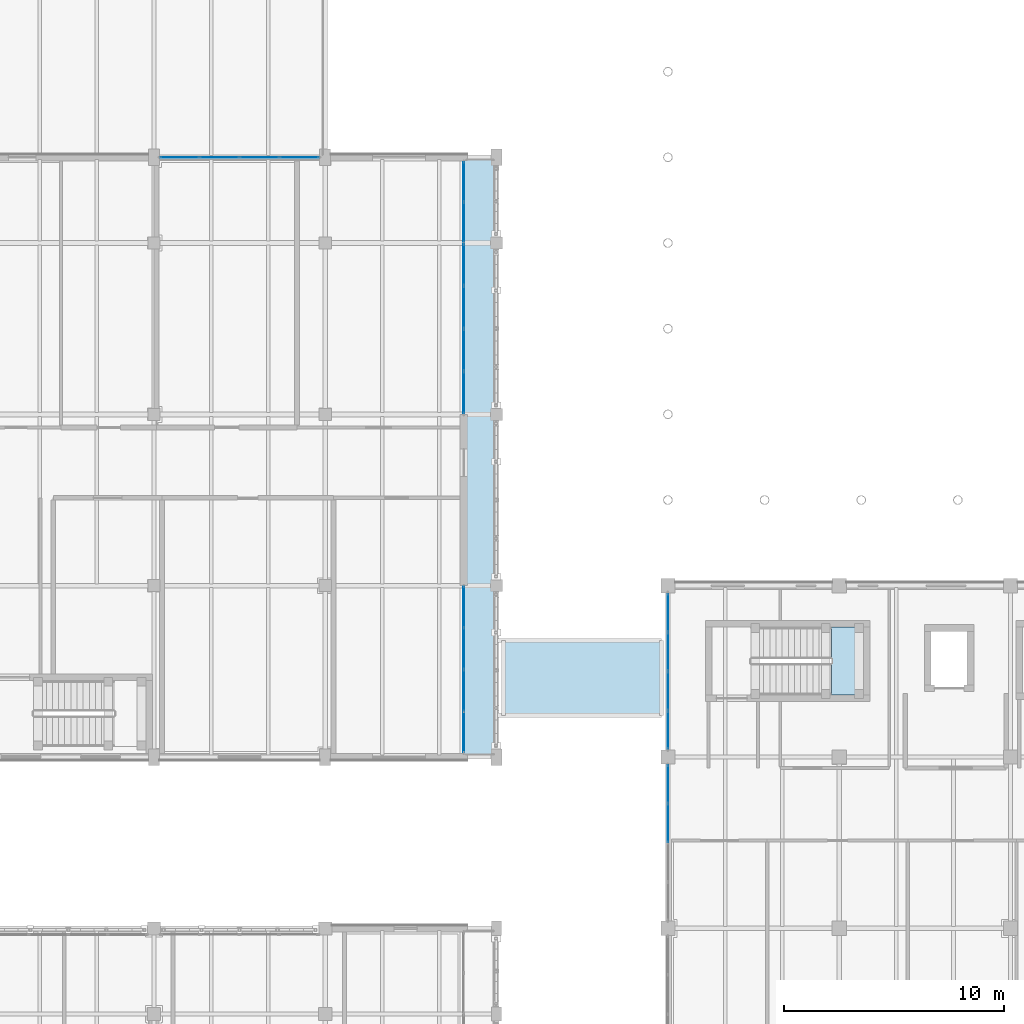
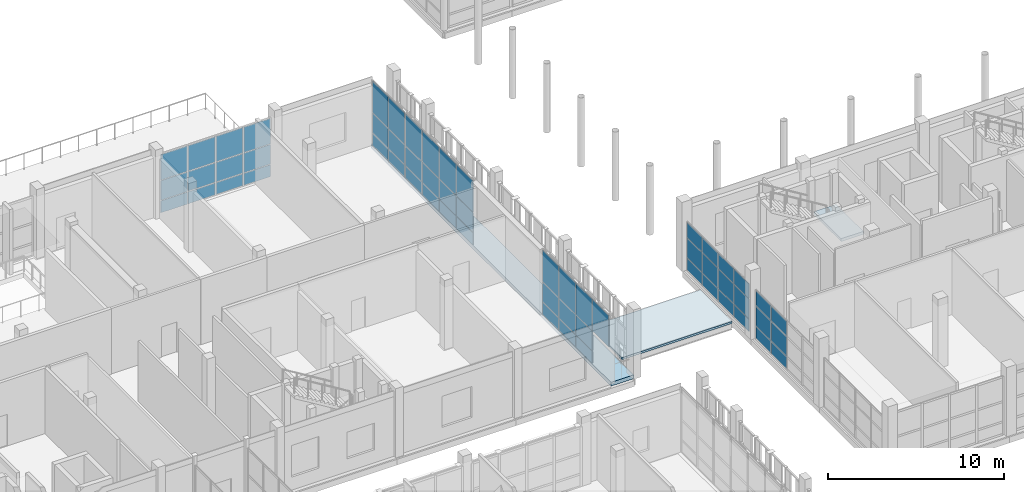
# One storey, part 79 of 138: 58 plates, 3 slabs, 7 elements without a shape of their own.
"""IFC4 building model written with IfcOpenShell, lengths in metres."""

from ifc_helpers import new_model, si_unit, direction, frame, origin, origin_2d, place, context, subcontext, project, spatial, polyline, rectangle, outline, extrude, material, layer, layer_set, type_object, element, aggregate, save


model = new_model("IFC4")

# Units and contexts
model_context = context("Model", 3, precision=1e-05, world=origin(), true_north=direction((0.0, 1.0)))
body_context = subcontext(model_context, "Body", "Model", "MODEL_VIEW")
ifc_project = project(units=[si_unit("LENGTHUNIT", "METRE"), si_unit("AREAUNIT", "SQUARE_METRE"), si_unit("VOLUMEUNIT", "CUBIC_METRE"), si_unit("PLANEANGLEUNIT", "RADIAN"), si_unit("MASSUNIT", "GRAM", prefix="KILO")], contexts=[model_context])

# Site, building, storey
site_placement = place(None, origin())
site = spatial("IfcSite", under=ifc_project, at=site_placement, CompositionType="ELEMENT")
building_placement = place(site_placement, origin())
building = spatial("IfcBuilding", under=site, at=building_placement, Name="Celorna Specialist Clinic", CompositionType="ELEMENT")
storey_placement = place(building_placement, frame((0.0, 0.0, 4.800048828125)))
storey = spatial("IfcBuildingStorey", under=building, at=storey_placement, Name="L01", CompositionType="ELEMENT", Elevation=4.800048828125)

# Curtain wall, plates
ifc_material_1 = material(Name="Thermally broken aluminium and solar-control glass curtain wall", Category="aluminium")
ifc_layer_1 = layer(ifc_material_1, 0.159912109375, Name="Thermally broken aluminium and solar-control glass curtain wall")
ifc_layer_set_1 = layer_set([ifc_layer_1], Name="Thermally broken aluminium and solar-control glass curtain wall")
curtain_wall_type_1 = type_object("IfcCurtainWallType", Name="CW-23", PredefinedType="NOTDEFINED", material=ifc_layer_set_1)
curtain_wall_1_placement = place(storey_placement, origin())
curtain_wall_1 = element("IfcCurtainWall", 1, at=curtain_wall_1_placement, inside=storey, type_object=curtain_wall_type_1, Name="Curtain wall CW-23 #53", PredefinedType="NOTDEFINED")
ifc_material_2 = material(Name="Low-e double glazing", Category="glass")
ifc_layer_2 = layer(ifc_material_2, 0.028076171875, Name="Low-e double glazing")
ifc_layer_set_2 = layer_set([ifc_layer_2], Name="Low-e double glazing")
plate_type_1 = type_object("IfcPlateType", Name="CPN-01", PredefinedType="CURTAIN_PANEL", material=ifc_layer_set_2)
plate_1_placement = place(storey_placement, frame((32.3779296875, 62.39990234375, 0.0498046875), z_axis=(0.0, 0.0, 1.0), x_axis=(1.0, 0.0, 0.0)))
plate_1 = element("IfcPlate", 2, at=plate_1_placement, type_object=plate_type_1, Name="CW-23 panel 1.1", PredefinedType="CURTAIN_PANEL", context=body_context, shape_type="SweptSolid", body=[
    extrude(rectangle(XDim=1.748046875, YDim=0.028076171875, at=origin_2d()), origin(), (0.0, 0.0, 1.0), 0.824951171875),
])
plate_2_placement = place(storey_placement, frame((32.3779296875, 62.39990234375, 0.9248046875), z_axis=(0.0, 0.0, 1.0), x_axis=(1.0, 0.0, 0.0)))
plate_2 = element("IfcPlate", 3, at=plate_2_placement, type_object=plate_type_1, Name="CW-23 panel 1.2", PredefinedType="CURTAIN_PANEL", context=body_context, shape_type="SweptSolid", body=[
    extrude(rectangle(XDim=1.748046875, YDim=0.028076171875, at=origin_2d()), origin(), (0.0, 0.0, 1.0), 1.35009765625),
])
plate_3_placement = place(storey_placement, frame((32.3779296875, 62.39990234375, 2.3251953125), z_axis=(0.0, 0.0, 1.0), x_axis=(1.0, 0.0, 0.0)))
plate_3 = element("IfcPlate", 4, at=plate_3_placement, type_object=plate_type_1, Name="CW-23 panel 1.3", PredefinedType="CURTAIN_PANEL", context=body_context, shape_type="SweptSolid", body=[
    extrude(rectangle(XDim=1.748046875, YDim=0.028076171875, at=origin_2d()), origin(), (0.0, 0.0, 1.0), 1.764892578125),
])
plate_4_placement = place(storey_placement, frame((34.1884765625, 62.39990234375, 0.0498046875), z_axis=(0.0, 0.0, 1.0), x_axis=(1.0, 0.0, 0.0)))
plate_4 = element("IfcPlate", 5, at=plate_4_placement, type_object=plate_type_1, Name="CW-23 panel 2.1", PredefinedType="CURTAIN_PANEL", context=body_context, shape_type="SweptSolid", body=[
    extrude(rectangle(XDim=1.77294921875, YDim=0.028076171875, at=origin_2d()), origin(), (0.0, 0.0, 1.0), 0.824951171875),
])
plate_5_placement = place(storey_placement, frame((34.1884765625, 62.39990234375, 0.9248046875), z_axis=(0.0, 0.0, 1.0), x_axis=(1.0, 0.0, 0.0)))
plate_5 = element("IfcPlate", 6, at=plate_5_placement, type_object=plate_type_1, Name="CW-23 panel 2.2", PredefinedType="CURTAIN_PANEL", context=body_context, shape_type="SweptSolid", body=[
    extrude(rectangle(XDim=1.77294921875, YDim=0.028076171875, at=origin_2d()), origin(), (0.0, 0.0, 1.0), 1.35009765625),
])
plate_6_placement = place(storey_placement, frame((34.1884765625, 62.39990234375, 2.3251953125), z_axis=(0.0, 0.0, 1.0), x_axis=(1.0, 0.0, 0.0)))
plate_6 = element("IfcPlate", 7, at=plate_6_placement, type_object=plate_type_1, Name="CW-23 panel 2.3", PredefinedType="CURTAIN_PANEL", context=body_context, shape_type="SweptSolid", body=[
    extrude(rectangle(XDim=1.77294921875, YDim=0.028076171875, at=origin_2d()), origin(), (0.0, 0.0, 1.0), 1.764892578125),
])
plate_7_placement = place(storey_placement, frame((36.011474609375, 62.39990234375, 0.0498046875), z_axis=(0.0, 0.0, 1.0), x_axis=(1.0, 0.0, 0.0)))
plate_7 = element("IfcPlate", 8, at=plate_7_placement, type_object=plate_type_1, Name="CW-23 panel 3.1", PredefinedType="CURTAIN_PANEL", context=body_context, shape_type="SweptSolid", body=[
    extrude(rectangle(XDim=1.77294921875, YDim=0.028076171875, at=origin_2d()), origin(), (0.0, 0.0, 1.0), 0.824951171875),
])
plate_8_placement = place(storey_placement, frame((36.011474609375, 62.39990234375, 0.9248046875), z_axis=(0.0, 0.0, 1.0), x_axis=(1.0, 0.0, 0.0)))
plate_8 = element("IfcPlate", 9, at=plate_8_placement, type_object=plate_type_1, Name="CW-23 panel 3.2", PredefinedType="CURTAIN_PANEL", context=body_context, shape_type="SweptSolid", body=[
    extrude(rectangle(XDim=1.77294921875, YDim=0.028076171875, at=origin_2d()), origin(), (0.0, 0.0, 1.0), 1.35009765625),
])
plate_9_placement = place(storey_placement, frame((36.011474609375, 62.39990234375, 2.3251953125), z_axis=(0.0, 0.0, 1.0), x_axis=(1.0, 0.0, 0.0)))
plate_9 = element("IfcPlate", 10, at=plate_9_placement, type_object=plate_type_1, Name="CW-23 panel 3.3", PredefinedType="CURTAIN_PANEL", context=body_context, shape_type="SweptSolid", body=[
    extrude(rectangle(XDim=1.77294921875, YDim=0.028076171875, at=origin_2d()), origin(), (0.0, 0.0, 1.0), 1.764892578125),
])
plate_10_placement = place(storey_placement, frame((37.822021484375, 62.39990234375, 0.0498046875), z_axis=(0.0, 0.0, 1.0), x_axis=(1.0, 0.0, 0.0)))
plate_10 = element("IfcPlate", 11, at=plate_10_placement, type_object=plate_type_1, Name="CW-23 panel 4.1", PredefinedType="CURTAIN_PANEL", context=body_context, shape_type="SweptSolid", body=[
    extrude(rectangle(XDim=1.748046875, YDim=0.028076171875, at=origin_2d()), origin(), (0.0, 0.0, 1.0), 0.824951171875),
])
plate_11_placement = place(storey_placement, frame((37.822021484375, 62.39990234375, 0.9248046875), z_axis=(0.0, 0.0, 1.0), x_axis=(1.0, 0.0, 0.0)))
plate_11 = element("IfcPlate", 12, at=plate_11_placement, type_object=plate_type_1, Name="CW-23 panel 4.2", PredefinedType="CURTAIN_PANEL", context=body_context, shape_type="SweptSolid", body=[
    extrude(rectangle(XDim=1.748046875, YDim=0.028076171875, at=origin_2d()), origin(), (0.0, 0.0, 1.0), 1.35009765625),
])
plate_12_placement = place(storey_placement, frame((37.822021484375, 62.39990234375, 2.3251953125), z_axis=(0.0, 0.0, 1.0), x_axis=(1.0, 0.0, 0.0)))
plate_12 = element("IfcPlate", 13, at=plate_12_placement, type_object=plate_type_1, Name="CW-23 panel 4.3", PredefinedType="CURTAIN_PANEL", context=body_context, shape_type="SweptSolid", body=[
    extrude(rectangle(XDim=1.748046875, YDim=0.028076171875, at=origin_2d()), origin(), (0.0, 0.0, 1.0), 1.764892578125),
])
aggregate(curtain_wall_1, [plate_1, plate_2, plate_3, plate_4, plate_5, plate_6, plate_7, plate_8, plate_9, plate_10, plate_11, plate_12])

ifc_layer_3 = layer(ifc_material_1, 0.159912109375, Name="Thermally broken aluminium and solar-control glass curtain wall")
ifc_layer_set_3 = layer_set([ifc_layer_3], Name="Thermally broken aluminium and solar-control glass curtain wall")
curtain_wall_type_2 = type_object("IfcCurtainWallType", Name="CW-109", PredefinedType="NOTDEFINED", material=ifc_layer_set_3)
curtain_wall_2_placement = place(storey_placement, origin())
curtain_wall_2 = element("IfcCurtainWall", 14, at=curtain_wall_2_placement, inside=storey, type_object=curtain_wall_type_2, Name="Curtain wall CW-109 #191", PredefinedType="NOTDEFINED")
plate_13_placement = place(storey_placement, frame((54.60009765625, 32.0927734375, 0.0498046875), z_axis=(0.0, 0.0, 1.0), x_axis=(0.0, 1.0, 0.0)))
plate_13 = element("IfcPlate", 15, at=plate_13_placement, type_object=plate_type_1, Name="CW-109 panel 3.1", PredefinedType="CURTAIN_PANEL", context=body_context, shape_type="SweptSolid", body=[
    extrude(rectangle(XDim=1.735595703125, YDim=0.028076171875, at=origin_2d()), origin(), (0.0, 0.0, 1.0), 0.824951171875),
])
plate_14_placement = place(storey_placement, frame((54.60009765625, 32.0927734375, 0.9248046875), z_axis=(0.0, 0.0, 1.0), x_axis=(0.0, 1.0, 0.0)))
plate_14 = element("IfcPlate", 16, at=plate_14_placement, type_object=plate_type_1, Name="CW-109 panel 3.2", PredefinedType="CURTAIN_PANEL", context=body_context, shape_type="SweptSolid", body=[
    extrude(rectangle(XDim=1.735595703125, YDim=0.028076171875, at=origin_2d()), origin(), (0.0, 0.0, 1.0), 1.35009765625),
])
plate_15_placement = place(storey_placement, frame((54.60009765625, 32.0927734375, 2.3251953125), z_axis=(0.0, 0.0, 1.0), x_axis=(0.0, 1.0, 0.0)))
plate_15 = element("IfcPlate", 17, at=plate_15_placement, type_object=plate_type_1, Name="CW-109 panel 3.3", PredefinedType="CURTAIN_PANEL", context=body_context, shape_type="SweptSolid", body=[
    extrude(rectangle(XDim=1.735595703125, YDim=0.028076171875, at=origin_2d()), origin(), (0.0, 0.0, 1.0), 1.014892578125),
])
plate_16_placement = place(storey_placement, frame((54.60009765625, 33.86572265625, 0.0498046875), z_axis=(0.0, 0.0, 1.0), x_axis=(0.0, 1.0, 0.0)))
plate_16 = element("IfcPlate", 18, at=plate_16_placement, type_object=plate_type_1, Name="CW-109 panel 4.1", PredefinedType="CURTAIN_PANEL", context=body_context, shape_type="SweptSolid", body=[
    extrude(rectangle(XDim=1.71044921875, YDim=0.028076171875, at=origin_2d()), origin(), (0.0, 0.0, 1.0), 0.824951171875),
])
plate_17_placement = place(storey_placement, frame((54.60009765625, 33.86572265625, 0.9248046875), z_axis=(0.0, 0.0, 1.0), x_axis=(0.0, 1.0, 0.0)))
plate_17 = element("IfcPlate", 19, at=plate_17_placement, type_object=plate_type_1, Name="CW-109 panel 4.2", PredefinedType="CURTAIN_PANEL", context=body_context, shape_type="SweptSolid", body=[
    extrude(rectangle(XDim=1.71044921875, YDim=0.028076171875, at=origin_2d()), origin(), (0.0, 0.0, 1.0), 1.35009765625),
])
plate_18_placement = place(storey_placement, frame((54.60009765625, 33.86572265625, 2.3251953125), z_axis=(0.0, 0.0, 1.0), x_axis=(0.0, 1.0, 0.0)))
plate_18 = element("IfcPlate", 20, at=plate_18_placement, type_object=plate_type_1, Name="CW-109 panel 4.3", PredefinedType="CURTAIN_PANEL", context=body_context, shape_type="SweptSolid", body=[
    extrude(rectangle(XDim=1.71044921875, YDim=0.028076171875, at=origin_2d()), origin(), (0.0, 0.0, 1.0), 1.014892578125),
])
aggregate(curtain_wall_2, [plate_13, plate_14, plate_15, plate_16, plate_17, plate_18])

ifc_layer_4 = layer(ifc_material_1, 0.159912109375, Name="Thermally broken aluminium and solar-control glass curtain wall")
ifc_layer_set_4 = layer_set([ifc_layer_4], Name="Thermally broken aluminium and solar-control glass curtain wall")
curtain_wall_type_3 = type_object("IfcCurtainWallType", Name="CW-26", PredefinedType="NOTDEFINED", material=ifc_layer_set_4)
curtain_wall_3_placement = place(storey_placement, origin())
curtain_wall_3 = element("IfcCurtainWall", 21, at=curtain_wall_3_placement, inside=storey, type_object=curtain_wall_type_3, Name="Curtain wall CW-26 #55", PredefinedType="NOTDEFINED")
ifc_material_3 = material(Name="Solar-control triple glazing", Category="glass")
ifc_layer_5 = layer(ifc_material_3, 0.035888671875, Name="Solar-control triple glazing")
ifc_layer_set_5 = layer_set([ifc_layer_5], Name="Solar-control triple glazing")
plate_type_2 = type_object("IfcPlateType", Name="CPN-02", PredefinedType="CURTAIN_PANEL", material=ifc_layer_set_5)
plate_19_placement = place(storey_placement, frame((45.300048828125, 57.509521484375, 0.0498046875), z_axis=(0.0, 0.0, 1.0), x_axis=(0.0, -1.0, 0.0)))
plate_19 = element("IfcPlate", 22, at=plate_19_placement, type_object=plate_type_2, Name="CW-26 panel 1.1", PredefinedType="CURTAIN_PANEL", context=body_context, shape_type="SweptSolid", body=[
    extrude(rectangle(XDim=1.873046875, YDim=0.035888671875, at=origin_2d()), origin(), (0.0, 0.0, 1.0), 0.824951171875),
])
plate_20_placement = place(storey_placement, frame((45.300048828125, 57.509521484375, 0.9248046875), z_axis=(0.0, 0.0, 1.0), x_axis=(0.0, -1.0, 0.0)))
plate_20 = element("IfcPlate", 23, at=plate_20_placement, type_object=plate_type_2, Name="CW-26 panel 1.2", PredefinedType="CURTAIN_PANEL", context=body_context, shape_type="SweptSolid", body=[
    extrude(rectangle(XDim=1.873046875, YDim=0.035888671875, at=origin_2d()), origin(), (0.0, 0.0, 1.0), 1.35009765625),
])
plate_21_placement = place(storey_placement, frame((45.300048828125, 57.509521484375, 2.324951171875), z_axis=(0.0, 0.0, 1.0), x_axis=(0.0, -1.0, 0.0)))
plate_21 = element("IfcPlate", 24, at=plate_21_placement, type_object=plate_type_2, Name="CW-26 panel 1.3", PredefinedType="CURTAIN_PANEL", context=body_context, shape_type="SweptSolid", body=[
    extrude(rectangle(XDim=1.873046875, YDim=0.035888671875, at=origin_2d()), origin(), (0.0, 0.0, 1.0), 2.1650390625),
])
plate_22_placement = place(storey_placement, frame((45.300048828125, 55.573974609375, 0.0498046875), z_axis=(0.0, 0.0, 1.0), x_axis=(0.0, -1.0, 0.0)))
plate_22 = element("IfcPlate", 25, at=plate_22_placement, type_object=plate_type_2, Name="CW-26 panel 2.1", PredefinedType="CURTAIN_PANEL", context=body_context, shape_type="SweptSolid", body=[
    extrude(rectangle(XDim=1.89794921875, YDim=0.035888671875, at=origin_2d()), origin(), (0.0, 0.0, 1.0), 0.824951171875),
])
plate_23_placement = place(storey_placement, frame((45.300048828125, 55.573974609375, 0.9248046875), z_axis=(0.0, 0.0, 1.0), x_axis=(0.0, -1.0, 0.0)))
plate_23 = element("IfcPlate", 26, at=plate_23_placement, type_object=plate_type_2, Name="CW-26 panel 2.2", PredefinedType="CURTAIN_PANEL", context=body_context, shape_type="SweptSolid", body=[
    extrude(rectangle(XDim=1.89794921875, YDim=0.035888671875, at=origin_2d()), origin(), (0.0, 0.0, 1.0), 1.35009765625),
])
plate_24_placement = place(storey_placement, frame((45.300048828125, 55.573974609375, 2.324951171875), z_axis=(0.0, 0.0, 1.0), x_axis=(0.0, -1.0, 0.0)))
plate_24 = element("IfcPlate", 27, at=plate_24_placement, type_object=plate_type_2, Name="CW-26 panel 2.3", PredefinedType="CURTAIN_PANEL", context=body_context, shape_type="SweptSolid", body=[
    extrude(rectangle(XDim=1.89794921875, YDim=0.035888671875, at=origin_2d()), origin(), (0.0, 0.0, 1.0), 2.1650390625),
])
plate_25_placement = place(storey_placement, frame((45.300048828125, 53.6259765625, 0.0498046875), z_axis=(0.0, 0.0, 1.0), x_axis=(0.0, -1.0, 0.0)))
plate_25 = element("IfcPlate", 28, at=plate_25_placement, type_object=plate_type_2, Name="CW-26 panel 3.1", PredefinedType="CURTAIN_PANEL", context=body_context, shape_type="SweptSolid", body=[
    extrude(rectangle(XDim=1.89794921875, YDim=0.035888671875, at=origin_2d()), origin(), (0.0, 0.0, 1.0), 0.824951171875),
])
plate_26_placement = place(storey_placement, frame((45.300048828125, 53.6259765625, 0.9248046875), z_axis=(0.0, 0.0, 1.0), x_axis=(0.0, -1.0, 0.0)))
plate_26 = element("IfcPlate", 29, at=plate_26_placement, type_object=plate_type_2, Name="CW-26 panel 3.2", PredefinedType="CURTAIN_PANEL", context=body_context, shape_type="SweptSolid", body=[
    extrude(rectangle(XDim=1.89794921875, YDim=0.035888671875, at=origin_2d()), origin(), (0.0, 0.0, 1.0), 1.35009765625),
])
plate_27_placement = place(storey_placement, frame((45.300048828125, 53.6259765625, 2.324951171875), z_axis=(0.0, 0.0, 1.0), x_axis=(0.0, -1.0, 0.0)))
plate_27 = element("IfcPlate", 30, at=plate_27_placement, type_object=plate_type_2, Name="CW-26 panel 3.3", PredefinedType="CURTAIN_PANEL", context=body_context, shape_type="SweptSolid", body=[
    extrude(rectangle(XDim=1.89794921875, YDim=0.035888671875, at=origin_2d()), origin(), (0.0, 0.0, 1.0), 2.1650390625),
])
plate_28_placement = place(storey_placement, frame((45.300048828125, 51.6904296875, 0.0498046875), z_axis=(0.0, 0.0, 1.0), x_axis=(0.0, -1.0, 0.0)))
plate_28 = element("IfcPlate", 31, at=plate_28_placement, type_object=plate_type_2, Name="CW-26 panel 4.1", PredefinedType="CURTAIN_PANEL", context=body_context, shape_type="SweptSolid", body=[
    extrude(rectangle(XDim=1.873046875, YDim=0.035888671875, at=origin_2d()), origin(), (0.0, 0.0, 1.0), 0.824951171875),
])
plate_29_placement = place(storey_placement, frame((45.300048828125, 51.6904296875, 0.9248046875), z_axis=(0.0, 0.0, 1.0), x_axis=(0.0, -1.0, 0.0)))
plate_29 = element("IfcPlate", 32, at=plate_29_placement, type_object=plate_type_2, Name="CW-26 panel 4.2", PredefinedType="CURTAIN_PANEL", context=body_context, shape_type="SweptSolid", body=[
    extrude(rectangle(XDim=1.873046875, YDim=0.035888671875, at=origin_2d()), origin(), (0.0, 0.0, 1.0), 1.35009765625),
])
plate_30_placement = place(storey_placement, frame((45.300048828125, 51.6904296875, 2.324951171875), z_axis=(0.0, 0.0, 1.0), x_axis=(0.0, -1.0, 0.0)))
plate_30 = element("IfcPlate", 33, at=plate_30_placement, type_object=plate_type_2, Name="CW-26 panel 4.3", PredefinedType="CURTAIN_PANEL", context=body_context, shape_type="SweptSolid", body=[
    extrude(rectangle(XDim=1.873046875, YDim=0.035888671875, at=origin_2d()), origin(), (0.0, 0.0, 1.0), 2.1650390625),
])
aggregate(curtain_wall_3, [plate_19, plate_20, plate_21, plate_22, plate_23, plate_24, plate_25, plate_26, plate_27, plate_28, plate_29, plate_30])

ifc_layer_6 = layer(ifc_material_1, 0.159912109375, Name="Thermally broken aluminium and solar-control glass curtain wall")
ifc_layer_set_6 = layer_set([ifc_layer_6], Name="Thermally broken aluminium and solar-control glass curtain wall")
curtain_wall_type_4 = type_object("IfcCurtainWallType", Name="CW-110", PredefinedType="NOTDEFINED", material=ifc_layer_set_6)
curtain_wall_4_placement = place(storey_placement, origin())
curtain_wall_4 = element("IfcCurtainWall", 34, at=curtain_wall_4_placement, inside=storey, type_object=curtain_wall_type_4, Name="Curtain wall CW-110 #192", PredefinedType="NOTDEFINED")
plate_31_placement = place(storey_placement, frame((54.60009765625, 36.334228515625, 0.0498046875), z_axis=(0.0, 0.0, 1.0), x_axis=(0.0, 1.0, 0.0)))
plate_31 = element("IfcPlate", 35, at=plate_31_placement, type_object=plate_type_2, Name="CW-110 panel 1.1", PredefinedType="CURTAIN_PANEL", context=body_context, shape_type="SweptSolid", body=[
    extrude(rectangle(XDim=1.71044921875, YDim=0.035888671875, at=origin_2d()), origin(), (0.0, 0.0, 1.0), 0.824951171875),
])
plate_32_placement = place(storey_placement, frame((54.60009765625, 36.334228515625, 0.9248046875), z_axis=(0.0, 0.0, 1.0), x_axis=(0.0, 1.0, 0.0)))
plate_32 = element("IfcPlate", 36, at=plate_32_placement, type_object=plate_type_2, Name="CW-110 panel 1.2", PredefinedType="CURTAIN_PANEL", context=body_context, shape_type="SweptSolid", body=[
    extrude(rectangle(XDim=1.71044921875, YDim=0.035888671875, at=origin_2d()), origin(), (0.0, 0.0, 1.0), 1.35009765625),
])
plate_33_placement = place(storey_placement, frame((54.60009765625, 36.334228515625, 2.3251953125), z_axis=(0.0, 0.0, 1.0), x_axis=(0.0, 1.0, 0.0)))
plate_33 = element("IfcPlate", 37, at=plate_33_placement, type_object=plate_type_2, Name="CW-110 panel 1.3", PredefinedType="CURTAIN_PANEL", context=body_context, shape_type="SweptSolid", body=[
    extrude(rectangle(XDim=1.71044921875, YDim=0.035888671875, at=origin_2d()), origin(), (0.0, 0.0, 1.0), 1.014892578125),
])
plate_34_placement = place(storey_placement, frame((54.60009765625, 38.107177734375, 0.0498046875), z_axis=(0.0, 0.0, 1.0), x_axis=(0.0, 1.0, 0.0)))
plate_34 = element("IfcPlate", 38, at=plate_34_placement, type_object=plate_type_2, Name="CW-110 panel 2.1", PredefinedType="CURTAIN_PANEL", context=body_context, shape_type="SweptSolid", body=[
    extrude(rectangle(XDim=1.735595703125, YDim=0.035888671875, at=origin_2d()), origin(), (0.0, 0.0, 1.0), 0.824951171875),
])
plate_35_placement = place(storey_placement, frame((54.60009765625, 38.107177734375, 0.9248046875), z_axis=(0.0, 0.0, 1.0), x_axis=(0.0, 1.0, 0.0)))
plate_35 = element("IfcPlate", 39, at=plate_35_placement, type_object=plate_type_2, Name="CW-110 panel 2.2", PredefinedType="CURTAIN_PANEL", context=body_context, shape_type="SweptSolid", body=[
    extrude(rectangle(XDim=1.735595703125, YDim=0.035888671875, at=origin_2d()), origin(), (0.0, 0.0, 1.0), 1.35009765625),
])
plate_36_placement = place(storey_placement, frame((54.60009765625, 38.107177734375, 2.3251953125), z_axis=(0.0, 0.0, 1.0), x_axis=(0.0, 1.0, 0.0)))
plate_36 = element("IfcPlate", 40, at=plate_36_placement, type_object=plate_type_2, Name="CW-110 panel 2.3", PredefinedType="CURTAIN_PANEL", context=body_context, shape_type="SweptSolid", body=[
    extrude(rectangle(XDim=1.735595703125, YDim=0.035888671875, at=origin_2d()), origin(), (0.0, 0.0, 1.0), 1.014892578125),
])
plate_37_placement = place(storey_placement, frame((54.60009765625, 39.892822265625, 0.0498046875), z_axis=(0.0, 0.0, 1.0), x_axis=(0.0, 1.0, 0.0)))
plate_37 = element("IfcPlate", 41, at=plate_37_placement, type_object=plate_type_2, Name="CW-110 panel 3.1", PredefinedType="CURTAIN_PANEL", context=body_context, shape_type="SweptSolid", body=[
    extrude(rectangle(XDim=1.735595703125, YDim=0.035888671875, at=origin_2d()), origin(), (0.0, 0.0, 1.0), 0.824951171875),
])
plate_38_placement = place(storey_placement, frame((54.60009765625, 39.892822265625, 0.9248046875), z_axis=(0.0, 0.0, 1.0), x_axis=(0.0, 1.0, 0.0)))
plate_38 = element("IfcPlate", 42, at=plate_38_placement, type_object=plate_type_2, Name="CW-110 panel 3.2", PredefinedType="CURTAIN_PANEL", context=body_context, shape_type="SweptSolid", body=[
    extrude(rectangle(XDim=1.735595703125, YDim=0.035888671875, at=origin_2d()), origin(), (0.0, 0.0, 1.0), 1.35009765625),
])
plate_39_placement = place(storey_placement, frame((54.60009765625, 39.892822265625, 2.3251953125), z_axis=(0.0, 0.0, 1.0), x_axis=(0.0, 1.0, 0.0)))
plate_39 = element("IfcPlate", 43, at=plate_39_placement, type_object=plate_type_2, Name="CW-110 panel 3.3", PredefinedType="CURTAIN_PANEL", context=body_context, shape_type="SweptSolid", body=[
    extrude(rectangle(XDim=1.735595703125, YDim=0.035888671875, at=origin_2d()), origin(), (0.0, 0.0, 1.0), 1.014892578125),
])
plate_40_placement = place(storey_placement, frame((54.60009765625, 41.665771484375, 0.0498046875), z_axis=(0.0, 0.0, 1.0), x_axis=(0.0, 1.0, 0.0)))
plate_40 = element("IfcPlate", 44, at=plate_40_placement, type_object=plate_type_2, Name="CW-110 panel 4.1", PredefinedType="CURTAIN_PANEL", context=body_context, shape_type="SweptSolid", body=[
    extrude(rectangle(XDim=1.71044921875, YDim=0.035888671875, at=origin_2d()), origin(), (0.0, 0.0, 1.0), 0.824951171875),
])
plate_41_placement = place(storey_placement, frame((54.60009765625, 41.665771484375, 0.9248046875), z_axis=(0.0, 0.0, 1.0), x_axis=(0.0, 1.0, 0.0)))
plate_41 = element("IfcPlate", 45, at=plate_41_placement, type_object=plate_type_2, Name="CW-110 panel 4.2", PredefinedType="CURTAIN_PANEL", context=body_context, shape_type="SweptSolid", body=[
    extrude(rectangle(XDim=1.71044921875, YDim=0.035888671875, at=origin_2d()), origin(), (0.0, 0.0, 1.0), 1.35009765625),
])
plate_42_placement = place(storey_placement, frame((54.60009765625, 41.665771484375, 2.3251953125), z_axis=(0.0, 0.0, 1.0), x_axis=(0.0, 1.0, 0.0)))
plate_42 = element("IfcPlate", 46, at=plate_42_placement, type_object=plate_type_2, Name="CW-110 panel 4.3", PredefinedType="CURTAIN_PANEL", context=body_context, shape_type="SweptSolid", body=[
    extrude(rectangle(XDim=1.71044921875, YDim=0.035888671875, at=origin_2d()), origin(), (0.0, 0.0, 1.0), 1.014892578125),
])
aggregate(curtain_wall_4, [plate_31, plate_32, plate_33, plate_34, plate_35, plate_36, plate_37, plate_38, plate_39, plate_40, plate_41, plate_42])

ifc_layer_7 = layer(ifc_material_1, 0.159912109375, Name="Thermally broken aluminium and solar-control glass curtain wall")
ifc_layer_set_7 = layer_set([ifc_layer_7], Name="Thermally broken aluminium and solar-control glass curtain wall")
curtain_wall_type_5 = type_object("IfcCurtainWallType", Name="CW-25", PredefinedType="NOTDEFINED", material=ifc_layer_set_7)
curtain_wall_5_placement = place(storey_placement, origin())
curtain_wall_5 = element("IfcCurtainWall", 47, at=curtain_wall_5_placement, inside=storey, type_object=curtain_wall_type_5, Name="Curtain wall CW-25 #54", PredefinedType="NOTDEFINED")
ifc_material_4 = material(Name="Glazed polychrome ceramic insulated spandrel")
ifc_layer_8 = layer(ifc_material_4, 0.0439453125, Name="Glazed polychrome ceramic insulated spandrel")
ifc_layer_set_8 = layer_set([ifc_layer_8], Name="Glazed polychrome ceramic insulated spandrel")
plate_type_3 = type_object("IfcPlateType", Name="CPN-03", PredefinedType="CURTAIN_PANEL", material=ifc_layer_set_8)
plate_43_placement = place(storey_placement, frame((45.300048828125, 41.9306640625, 0.0498046875), z_axis=(0.0, 0.0, 1.0), x_axis=(0.0, -1.0, 0.0)))
plate_43 = element("IfcPlate", 48, at=plate_43_placement, type_object=plate_type_3, Name="CW-25 panel 1.1", PredefinedType="CURTAIN_PANEL", context=body_context, shape_type="SweptSolid", body=[
    extrude(rectangle(XDim=1.83056640625, YDim=0.0439453125, at=origin_2d()), origin(), (0.0, 0.0, 1.0), 0.824951171875),
])
plate_44_placement = place(storey_placement, frame((45.300048828125, 41.9306640625, 0.9248046875), z_axis=(0.0, 0.0, 1.0), x_axis=(0.0, -1.0, 0.0)))
plate_44 = element("IfcPlate", 49, at=plate_44_placement, type_object=plate_type_3, Name="CW-25 panel 1.2", PredefinedType="CURTAIN_PANEL", context=body_context, shape_type="SweptSolid", body=[
    extrude(rectangle(XDim=1.83056640625, YDim=0.0439453125, at=origin_2d()), origin(), (0.0, 0.0, 1.0), 1.35009765625),
])
plate_45_placement = place(storey_placement, frame((45.300048828125, 41.9306640625, 2.324951171875), z_axis=(0.0, 0.0, 1.0), x_axis=(0.0, -1.0, 0.0)))
plate_45 = element("IfcPlate", 50, at=plate_45_placement, type_object=plate_type_3, Name="CW-25 panel 1.3", PredefinedType="CURTAIN_PANEL", context=body_context, shape_type="SweptSolid", body=[
    extrude(rectangle(XDim=1.83056640625, YDim=0.0439453125, at=origin_2d()), origin(), (0.0, 0.0, 1.0), 2.1650390625),
])
plate_46_placement = place(storey_placement, frame((45.300048828125, 40.037841796875, 0.0498046875), z_axis=(0.0, 0.0, 1.0), x_axis=(0.0, -1.0, 0.0)))
plate_46 = element("IfcPlate", 51, at=plate_46_placement, type_object=plate_type_3, Name="CW-25 panel 2.1", PredefinedType="CURTAIN_PANEL", context=body_context, shape_type="SweptSolid", body=[
    extrude(rectangle(XDim=1.85546875, YDim=0.0439453125, at=origin_2d()), origin(), (0.0, 0.0, 1.0), 0.824951171875),
])
plate_47_placement = place(storey_placement, frame((45.300048828125, 40.037841796875, 0.9248046875), z_axis=(0.0, 0.0, 1.0), x_axis=(0.0, -1.0, 0.0)))
plate_47 = element("IfcPlate", 52, at=plate_47_placement, type_object=plate_type_3, Name="CW-25 panel 2.2", PredefinedType="CURTAIN_PANEL", context=body_context, shape_type="SweptSolid", body=[
    extrude(rectangle(XDim=1.85546875, YDim=0.0439453125, at=origin_2d()), origin(), (0.0, 0.0, 1.0), 1.35009765625),
])
plate_48_placement = place(storey_placement, frame((45.300048828125, 40.037841796875, 2.324951171875), z_axis=(0.0, 0.0, 1.0), x_axis=(0.0, -1.0, 0.0)))
plate_48 = element("IfcPlate", 53, at=plate_48_placement, type_object=plate_type_3, Name="CW-25 panel 2.3", PredefinedType="CURTAIN_PANEL", context=body_context, shape_type="SweptSolid", body=[
    extrude(rectangle(XDim=1.85546875, YDim=0.0439453125, at=origin_2d()), origin(), (0.0, 0.0, 1.0), 2.1650390625),
])
plate_49_placement = place(storey_placement, frame((45.300048828125, 38.13232421875, 0.0498046875), z_axis=(0.0, 0.0, 1.0), x_axis=(0.0, -1.0, 0.0)))
plate_49 = element("IfcPlate", 54, at=plate_49_placement, type_object=plate_type_3, Name="CW-25 panel 3.1", PredefinedType="CURTAIN_PANEL", context=body_context, shape_type="SweptSolid", body=[
    extrude(rectangle(XDim=1.85546875, YDim=0.0439453125, at=origin_2d()), origin(), (0.0, 0.0, 1.0), 0.824951171875),
])
plate_50_placement = place(storey_placement, frame((45.300048828125, 38.13232421875, 0.9248046875), z_axis=(0.0, 0.0, 1.0), x_axis=(0.0, -1.0, 0.0)))
plate_50 = element("IfcPlate", 55, at=plate_50_placement, type_object=plate_type_3, Name="CW-25 panel 3.2", PredefinedType="CURTAIN_PANEL", context=body_context, shape_type="SweptSolid", body=[
    extrude(rectangle(XDim=1.85546875, YDim=0.0439453125, at=origin_2d()), origin(), (0.0, 0.0, 1.0), 1.35009765625),
])
plate_51_placement = place(storey_placement, frame((45.300048828125, 38.13232421875, 2.324951171875), z_axis=(0.0, 0.0, 1.0), x_axis=(0.0, -1.0, 0.0)))
plate_51 = element("IfcPlate", 56, at=plate_51_placement, type_object=plate_type_3, Name="CW-25 panel 3.3", PredefinedType="CURTAIN_PANEL", context=body_context, shape_type="SweptSolid", body=[
    extrude(rectangle(XDim=1.85546875, YDim=0.0439453125, at=origin_2d()), origin(), (0.0, 0.0, 1.0), 2.1650390625),
])
plate_52_placement = place(storey_placement, frame((45.300048828125, 36.2392578125, 2.324951171875), z_axis=(0.0, 0.0, 1.0), x_axis=(0.0, -1.0, 0.0)))
plate_52 = element("IfcPlate", 57, at=plate_52_placement, type_object=plate_type_3, Name="CW-25 panel 4.3", PredefinedType="CURTAIN_PANEL", context=body_context, shape_type="SweptSolid", body=[
    extrude(rectangle(XDim=1.83056640625, YDim=0.0439453125, at=origin_2d()), origin(), (0.0, 0.0, 1.0), 2.1650390625),
])
aggregate(curtain_wall_5, [plate_43, plate_44, plate_45, plate_46, plate_47, plate_48, plate_49, plate_50, plate_51, plate_52])

ifc_layer_9 = layer(ifc_material_1, 0.159912109375, Name="Thermally broken aluminium and solar-control glass curtain wall")
ifc_layer_set_9 = layer_set([ifc_layer_9], Name="Thermally broken aluminium and solar-control glass curtain wall")
curtain_wall_type_6 = type_object("IfcCurtainWallType", Name="CW-27", PredefinedType="NOTDEFINED", material=ifc_layer_set_9)
curtain_wall_6_placement = place(storey_placement, origin())
curtain_wall_6 = element("IfcCurtainWall", 58, at=curtain_wall_6_placement, inside=storey, type_object=curtain_wall_type_6, Name="Curtain wall CW-27 #56", PredefinedType="NOTDEFINED")
plate_53_placement = place(storey_placement, frame((45.300048828125, 61.282958984375, 0.0498046875), z_axis=(0.0, 0.0, 1.0), x_axis=(0.0, -1.0, 0.0)))
plate_53 = element("IfcPlate", 59, at=plate_53_placement, type_object=plate_type_3, Name="CW-27 panel 1.1", PredefinedType="CURTAIN_PANEL", context=body_context, shape_type="SweptSolid", body=[
    extrude(rectangle(XDim=1.785888671875, YDim=0.0439453125, at=origin_2d()), origin(), (0.0, 0.0, 1.0), 0.824951171875),
])
plate_54_placement = place(storey_placement, frame((45.300048828125, 61.282958984375, 0.9248046875), z_axis=(0.0, 0.0, 1.0), x_axis=(0.0, -1.0, 0.0)))
plate_54 = element("IfcPlate", 60, at=plate_54_placement, type_object=plate_type_3, Name="CW-27 panel 1.2", PredefinedType="CURTAIN_PANEL", context=body_context, shape_type="SweptSolid", body=[
    extrude(rectangle(XDim=1.785888671875, YDim=0.0439453125, at=origin_2d()), origin(), (0.0, 0.0, 1.0), 1.35009765625),
])
plate_55_placement = place(storey_placement, frame((45.300048828125, 61.282958984375, 2.324951171875), z_axis=(0.0, 0.0, 1.0), x_axis=(0.0, -1.0, 0.0)))
plate_55 = element("IfcPlate", 61, at=plate_55_placement, type_object=plate_type_3, Name="CW-27 panel 1.3", PredefinedType="CURTAIN_PANEL", context=body_context, shape_type="SweptSolid", body=[
    extrude(rectangle(XDim=1.785888671875, YDim=0.0439453125, at=origin_2d()), origin(), (0.0, 0.0, 1.0), 2.1650390625),
])
plate_56_placement = place(storey_placement, frame((45.300048828125, 59.447021484375, 0.0498046875), z_axis=(0.0, 0.0, 1.0), x_axis=(0.0, -1.0, 0.0)))
plate_56 = element("IfcPlate", 62, at=plate_56_placement, type_object=plate_type_3, Name="CW-27 panel 2.1", PredefinedType="CURTAIN_PANEL", context=body_context, shape_type="SweptSolid", body=[
    extrude(rectangle(XDim=1.785888671875, YDim=0.0439453125, at=origin_2d()), origin(), (0.0, 0.0, 1.0), 0.824951171875),
])
plate_57_placement = place(storey_placement, frame((45.300048828125, 59.447021484375, 0.9248046875), z_axis=(0.0, 0.0, 1.0), x_axis=(0.0, -1.0, 0.0)))
plate_57 = element("IfcPlate", 63, at=plate_57_placement, type_object=plate_type_3, Name="CW-27 panel 2.2", PredefinedType="CURTAIN_PANEL", context=body_context, shape_type="SweptSolid", body=[
    extrude(rectangle(XDim=1.785888671875, YDim=0.0439453125, at=origin_2d()), origin(), (0.0, 0.0, 1.0), 1.35009765625),
])
plate_58_placement = place(storey_placement, frame((45.300048828125, 59.447021484375, 2.324951171875), z_axis=(0.0, 0.0, 1.0), x_axis=(0.0, -1.0, 0.0)))
plate_58 = element("IfcPlate", 64, at=plate_58_placement, type_object=plate_type_3, Name="CW-27 panel 2.3", PredefinedType="CURTAIN_PANEL", context=body_context, shape_type="SweptSolid", body=[
    extrude(rectangle(XDim=1.785888671875, YDim=0.0439453125, at=origin_2d()), origin(), (0.0, 0.0, 1.0), 2.1650390625),
])
aggregate(curtain_wall_6, [plate_53, plate_54, plate_55, plate_56, plate_57, plate_58])

# Slab
ifc_material_5 = material(Name="Concrete C35/45", Category="concrete")
ifc_layer_10 = layer(ifc_material_5, 0.260009765625, Name="Concrete C35/45")
ifc_layer_set_10 = layer_set([ifc_layer_10], Name="Concrete C35/45")
slab_type_1 = type_object("IfcSlabType", Name="SL-07", PredefinedType="FLOOR", material=ifc_layer_set_10)
slab_1_placement = place(storey_placement, frame((0.0, 0.0, -0.260009765625)))
element("IfcSlab", 65, at=slab_1_placement, inside=storey, type_object=slab_type_1, Name="Imaging Cloister Veranda", PredefinedType="FLOOR", context=body_context, shape_type="SweptSolid", body=[
    extrude(outline(polyline([(45.300048828125, 35.10009765625), (46.800048828125, 35.10009765625), (46.800048828125, 62.39990234375), (45.300048828125, 62.39990234375), (45.300048828125, 35.10009765625)])), origin(), (0.0, 0.0, 1.0), 0.260009765625),
])

# Stair, slab
stair_type = type_object("IfcStairType", Name="ST-02", PredefinedType="HALF_TURN_STAIR", material=ifc_material_5)
stair_placement = place(storey_placement, origin())
stair = element("IfcStair", 66, at=stair_placement, inside=storey, type_object=stair_type, Name="L01 Protected exit stair ST-08", PredefinedType="HALF_TURN_STAIR")
ifc_layer_11 = layer(ifc_material_5, 0.199951171875, Name="Concrete C35/45")
ifc_layer_set_11 = layer_set([ifc_layer_11], Name="Concrete C35/45")
slab_type_2 = type_object("IfcSlabType", Name="SL-11", PredefinedType="LANDING", material=ifc_layer_set_11)
slab_2_placement = place(storey_placement, frame((0.0, 0.0, 2.199951171875)))
slab_2 = element("IfcSlab", 67, at=slab_2_placement, type_object=slab_type_2, Name="ST-08 landing 1", PredefinedType="LANDING", context=body_context, shape_type="SweptSolid", body=[
    extrude(outline(polyline([(62.0400390625, 37.919921875), (63.5, 37.919921875), (63.5, 41.02001953125), (62.0400390625, 41.02001953125), (62.0400390625, 37.919921875)])), origin(), (0.0, 0.0, 1.0), 0.199951171875),
])
aggregate(stair, [slab_2])

# Slab
ifc_material_6 = material(Name="Precast concrete C35/45", Category="concrete")
ifc_layer_12 = layer(ifc_material_6, 0.139892578125, Name="Precast concrete C35/45")
ifc_layer_set_12 = layer_set([ifc_layer_12], Name="Precast concrete C35/45")
slab_type_3 = type_object("IfcSlabType", Name="SL-14", PredefinedType="ROOF", material=ifc_layer_set_12)
slab_3_placement = place(storey_placement, frame((0.0, 0.0, -0.14013671875)))
element("IfcSlab", 68, at=slab_3_placement, inside=storey, type_object=slab_type_3, Name="Cloister bridge BR-02 roof slab", PredefinedType="ROOF", context=body_context, shape_type="SweptSolid", body=[
    extrude(outline(polyline([(47.06005859375, 36.89990234375), (54.300048828125, 36.89990234375), (54.300048828125, 40.5), (47.06005859375, 40.5), (47.06005859375, 36.89990234375)])), origin(), (0.0, 0.0, 1.0), 0.14013671875),
])

save(model, "model.ifc")
